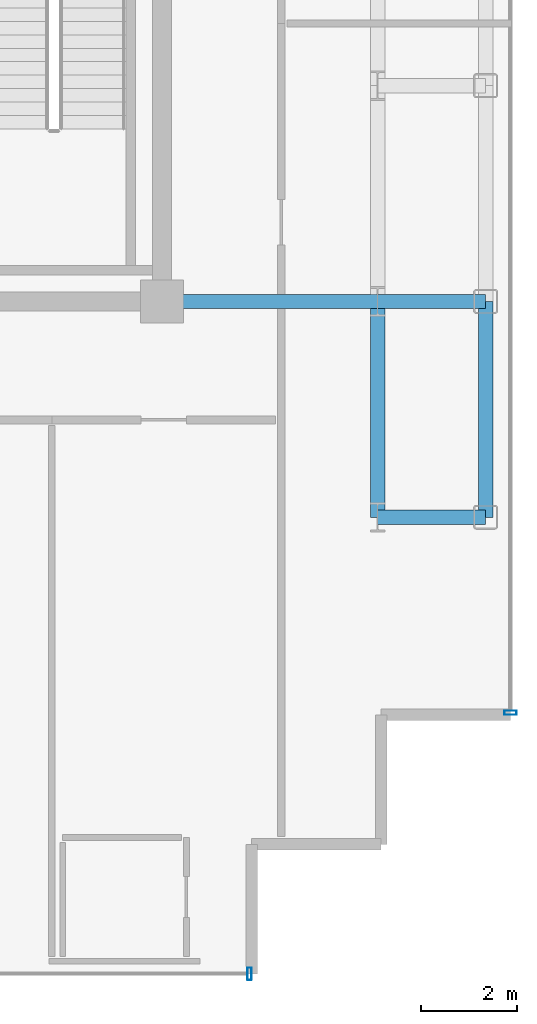
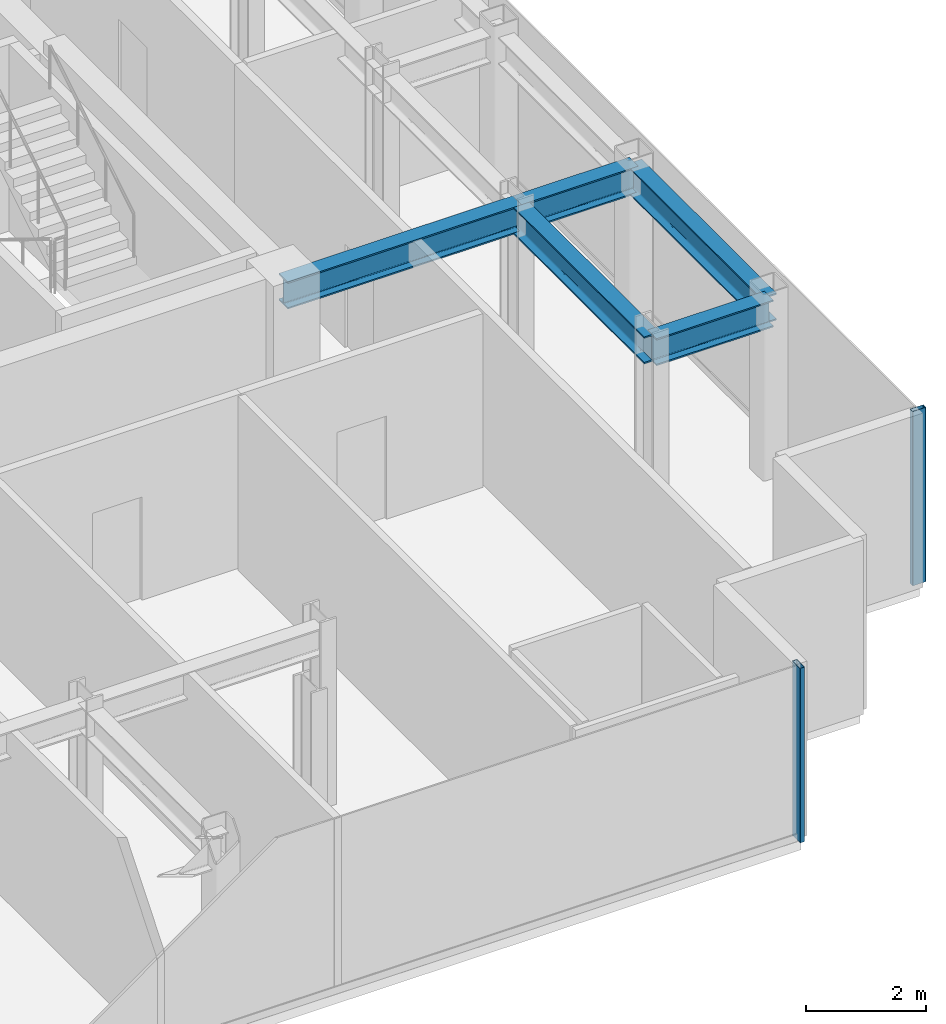
# One storey, part 6 of 17: 5 beams, 2 members, 2 elements without a shape of their own.
"""IFC4 building model written with IfcOpenShell, lengths in metres."""

from ifc_helpers import new_model, si_unit, direction, frame, origin, origin_2d, place, context, subcontext, project, spatial, hollow_rectangle, i_section, extrude, source, transform, mapped, material, layer, layer_set, material_profile, profile_set, type_object, element, aggregate, save


model = new_model("IFC4")

# Units and contexts
model_context = context("Model", 3, precision=1e-05, world=origin(), true_north=direction((0.0, 1.0)))
body_context = subcontext(model_context, "Body", "Model", "MODEL_VIEW")
ifc_project = project(units=[si_unit("LENGTHUNIT", "METRE"), si_unit("AREAUNIT", "SQUARE_METRE"), si_unit("VOLUMEUNIT", "CUBIC_METRE"), si_unit("PLANEANGLEUNIT", "RADIAN"), si_unit("MASSUNIT", "GRAM", prefix="KILO")], contexts=[model_context])

# Site, building, storey
site_placement = place(None, origin())
site = spatial("IfcSite", under=ifc_project, at=site_placement, CompositionType="ELEMENT")
building_placement = place(site_placement, origin())
building = spatial("IfcBuilding", under=site, at=building_placement, Name="Nefas-Gora Pilgrimage Tower", CompositionType="ELEMENT")
storey_placement = place(building_placement, frame((0.0, 0.0, 337.60009765625)))
storey = spatial("IfcBuildingStorey", under=building, at=storey_placement, Name="L85", CompositionType="ELEMENT", Elevation=337.60009765625)

# Beams
ifc_material_1 = material(Name="Steel S355", Category="steel")
ifc_material_profile_1 = material_profile(ifc_material_1, i_section(OverallWidth=0.300048828125, OverallDepth=0.550048828125, WebThickness=0.014892578125, FlangeThickness=0.029052734375, FilletRadius=0.027099609375, at=origin_2d()), Name="HEB 550")
ifc_profile_set_1 = profile_set([ifc_material_profile_1], Name="Steel S355")
beam_type_1 = type_object("IfcBeamType", Name="BM-SPN-HEB400", PredefinedType="SPANDREL", material=ifc_profile_set_1)
shared_shape_1 = source(origin(), body_context, "Body", "SweptSolid", [
    extrude(i_section(OverallWidth=0.300048828125, OverallDepth=0.550048828125, WebThickness=0.014892578125, FlangeThickness=0.029052734375, FilletRadius=0.027099609375, at=origin_2d()), origin(), (0.0, 0.0, 1.0), 4.5),
])
beam_placement = place(storey_placement, frame((18.0, -13.5, 3.27490234375), z_axis=(0.0, 1.0, 0.0), x_axis=(-1.0, 0.0, 0.0)))
element("IfcBeam", 1, at=beam_placement, inside=storey, type_object=beam_type_1, Name="L85 SP-04 beam", PredefinedType="SPANDREL", context=body_context, shape_type="MappedRepresentation", body=[
    mapped(shared_shape_1, transform((0.0, 0.0, 0.0), x_axis=(1.0, 0.0, 0.0), y_axis=(0.0, 1.0, 0.0), z_axis=(0.0, 0.0, 1.0), scale=1.0)),
])
ifc_material_profile_2 = material_profile(ifc_material_1, i_section(OverallWidth=0.300048828125, OverallDepth=0.550048828125, WebThickness=0.014892578125, FlangeThickness=0.029052734375, FilletRadius=0.027099609375, at=origin_2d()), Name="HEB 550")
ifc_profile_set_2 = profile_set([ifc_material_profile_2], Name="Steel S355")
beam_type_2 = type_object("IfcBeamType", Name="BM-GIR-HEB550", PredefinedType="BEAM", material=ifc_profile_set_2)
shared_shape_2 = source(origin(), body_context, "Body", "SweptSolid", [
    extrude(i_section(OverallWidth=0.300048828125, OverallDepth=0.550048828125, WebThickness=0.014892578125, FlangeThickness=0.029052734375, FilletRadius=0.027099609375, at=origin_2d()), origin(), (0.0, 0.0, 1.0), 4.5),
])
for number, where, z_axis, x_axis, name in (
    (2, (11.25, -9.0, 3.27490234375), (1.0, 0.0, 0.0), (0.0, 1.0, 0.0), "L85 G-05 beam"),
    (3, (15.75, -13.5, 3.27490234375), (0.0, 1.0, 0.0), (-1.0, 0.0, 0.0), "L85 G-05 beam"),
):
    element("IfcBeam", number, at=place(storey_placement, frame(where, z_axis=z_axis, x_axis=x_axis)), inside=storey, type_object=beam_type_2, Name=name, PredefinedType="BEAM", context=body_context, shape_type="MappedRepresentation", body=[
        mapped(shared_shape_2, transform((0.0, 0.0, 0.0), x_axis=(1.0, 0.0, 0.0), y_axis=(0.0, 1.0, 0.0), z_axis=(0.0, 0.0, 1.0), scale=1.0)),
    ])
shared_shape_3 = source(origin(), body_context, "Body", "SweptSolid", [
    extrude(i_section(OverallWidth=0.300048828125, OverallDepth=0.550048828125, WebThickness=0.014892578125, FlangeThickness=0.029052734375, FilletRadius=0.027099609375, at=origin_2d()), origin(), (0.0, 0.0, 1.0), 2.25),
])
for number, where, z_axis, x_axis, name in (
    (4, (15.75, -13.5, 3.27490234375), (1.0, 0.0, 0.0), (0.0, 1.0, 0.0), "L85 G-05 beam"),
    (5, (15.75, -9.0, 3.27490234375), (1.0, 0.0, 0.0), (0.0, 1.0, 0.0), "L85 G-05 beam"),
):
    element("IfcBeam", number, at=place(storey_placement, frame(where, z_axis=z_axis, x_axis=x_axis)), inside=storey, type_object=beam_type_2, Name=name, PredefinedType="BEAM", context=body_context, shape_type="MappedRepresentation", body=[
        mapped(shared_shape_3, transform((0.0, 0.0, 0.0), x_axis=(1.0, 0.0, 0.0), y_axis=(0.0, 1.0, 0.0), z_axis=(0.0, 0.0, 1.0), scale=1.0)),
    ])

# Curtain wall, member
ifc_material_2 = material(Name="Dark ceramic-fritted solar-control aluminium-glass curtain wall", Category="aluminium")
ifc_layer = layer(ifc_material_2, 0.219970703125)
ifc_layer_set = layer_set([ifc_layer], Name="Dark ceramic-fritted solar-control aluminium-glass curtain wall")
curtain_wall_type = type_object("IfcCurtainWallType", Name="CW-SYS-4", PredefinedType="NOTDEFINED", material=ifc_layer_set)
curtain_wall_1_placement = place(storey_placement, origin())
curtain_wall_1 = element("IfcCurtainWall", 6, at=curtain_wall_1_placement, inside=storey, type_object=curtain_wall_type, Name="L85 Unitised Curtain Wall CW4", PredefinedType="NOTDEFINED")
ifc_material_3 = material(Name="Anodised architectural aluminium", Category="aluminium")
ifc_material_profile_3 = material_profile(ifc_material_3, hollow_rectangle(XDim=0.090087890625, YDim=0.260009765625, WallThickness=0.006103515625, InnerFilletRadius=0.006103515625, OuterFilletRadius=0.011962890625, at=origin_2d()), Name="ALU MULLION 90x260")
ifc_profile_set_3 = profile_set([ifc_material_profile_3], Name="Anodised architectural aluminium")
member_type = type_object("IfcMemberType", Name="CWM-MUL-4", PredefinedType="MULLION", material=ifc_profile_set_3)
shared_shape_4 = source(origin(), body_context, "Body", "SweptSolid", [
    extrude(hollow_rectangle(XDim=0.090087890625, YDim=0.260009765625, WallThickness=0.006103515625, InnerFilletRadius=0.006103515625, OuterFilletRadius=0.011962890625, at=origin_2d()), origin(), (0.0, 0.0, 1.0), 3.5498046875),
])
member_1_placement = place(storey_placement, frame((18.52001953125, -17.574951171875, 0.0), z_axis=(0.0, 0.0, 1.0), x_axis=(0.0, 1.0, 0.0)))
member_1 = element("IfcMember", 7, at=member_1_placement, type_object=member_type, Name="CW4 Mullion 1", PredefinedType="MULLION", context=body_context, shape_type="MappedRepresentation", body=[
    mapped(shared_shape_4, transform((0.0, 0.0, 0.0), x_axis=(1.0, 0.0, 0.0), y_axis=(0.0, 1.0, 0.0), z_axis=(0.0, 0.0, 1.0), scale=1.0)),
])
aggregate(curtain_wall_1, [member_1])

curtain_wall_2_placement = place(storey_placement, origin())
curtain_wall_2 = element("IfcCurtainWall", 8, at=curtain_wall_2_placement, inside=storey, type_object=curtain_wall_type, Name="L85 Unitised Curtain Wall CW4", PredefinedType="NOTDEFINED")
member_2_placement = place(storey_placement, frame((13.074951171875, -23.02001953125, 0.0), z_axis=(0.0, 0.0, 1.0), x_axis=(1.0, 0.0, 0.0)))
member_2 = element("IfcMember", 9, at=member_2_placement, type_object=member_type, Name="CW4 Mullion 2", PredefinedType="MULLION", context=body_context, shape_type="MappedRepresentation", body=[
    mapped(shared_shape_4, transform((0.0, 0.0, 0.0), x_axis=(1.0, 0.0, 0.0), y_axis=(0.0, 1.0, 0.0), z_axis=(0.0, 0.0, 1.0), scale=1.0)),
])
aggregate(curtain_wall_2, [member_2])

save(model, "model.ifc")
